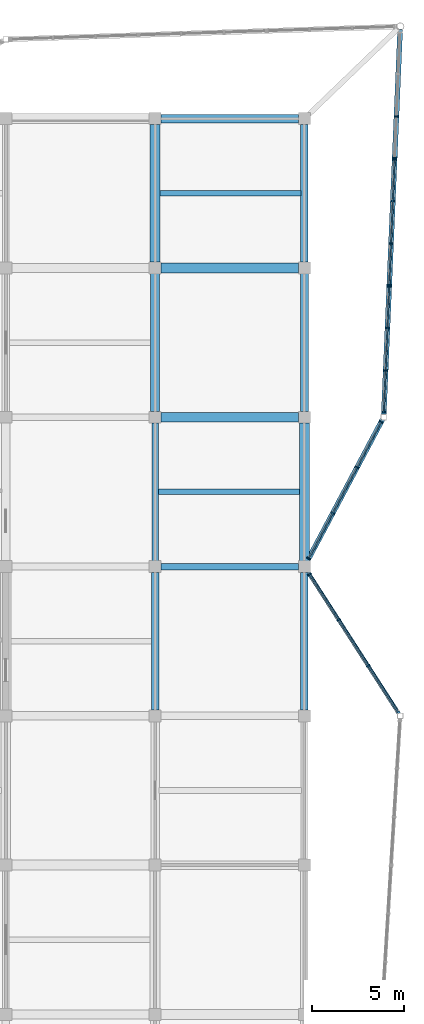
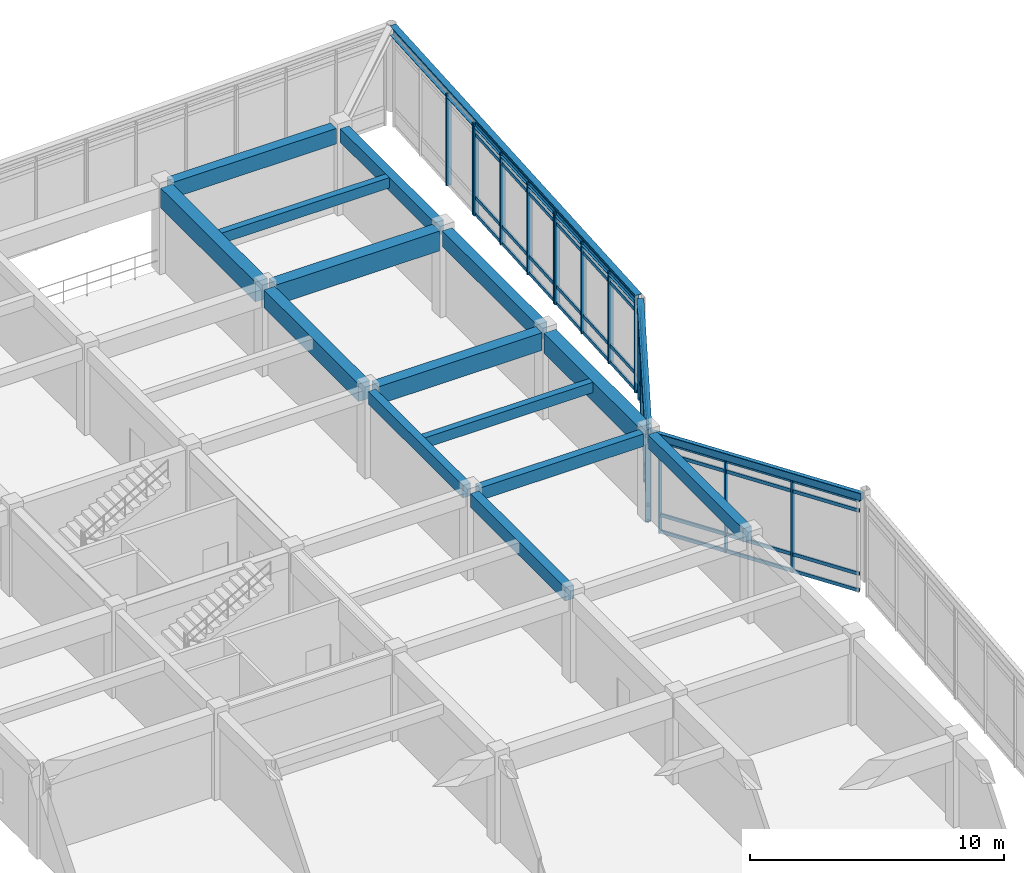
# One storey, part 20 of 42: 33 members, 17 beams, 5 elements without a shape of their own.
"""IFC4 building model written with IfcOpenShell, lengths in metres."""

import ifcopenshell
import ifcopenshell.guid

model = None  # the IFC model being written
_history = None  # IfcOwnerHistory: only IFC2X3 demands one
_inside = {}  # id of a spatial element -> (the spatial element, [elements in it])
_under = {}  # id of a project, library or spatial element -> (it, [spatial elements below it])
_declared = {}  # id of a project -> (the project, [libraries it declares])
_typed = {}  # id of a type object -> (the type object, [elements of that type])
_made_of = {}  # id of a material, layer set ... -> (it, [elements and type objects made of it])


def new_model(schema):
    """Start an empty IFC model of exactly this schema.

    Asked for "IFC4X3", IfcOpenShell would pick the latest addendum, in which some entities
    have other attributes; the version numbers below select the first issue.
    IFC2X3 requires an IfcOwnerHistory on every rooted entity: one is made here for all.
    """
    global model, _history
    if schema == "IFC4X3":
        model = ifcopenshell.file(schema_version=(4, 3, 0, 0))
    else:
        model = ifcopenshell.file(schema=schema)
    _inside.clear()
    _under.clear()
    _declared.clear()
    _typed.clear()
    _made_of.clear()
    _history = None
    if model.schema == "IFC2X3":
        org = make("IfcOrganization", Name="unknown")
        user = make(
            "IfcPersonAndOrganization",
            ThePerson=make("IfcPerson", FamilyName="unknown"),
            TheOrganization=org,
        )
        app = make(
            "IfcApplication",
            ApplicationDeveloper=org,
            Version="unknown",
            ApplicationFullName="unknown",
            ApplicationIdentifier="unknown",
        )
        _history = make(
            "IfcOwnerHistory",
            OwningUser=user,
            OwningApplication=app,
            ChangeAction="ADDED",
            CreationDate=0,
        )
    return model


def make(cls, **values):
    """One entity of the class cls with the attributes given. An attribute that is None is left unset."""
    return model.create_entity(
        cls, **{name: value for name, value in values.items() if value is not None}
    )


def rooted(cls, **values):
    """An entity with a GlobalId (a new one), such as an element, a storey or a relation."""
    return make(cls, GlobalId=ifcopenshell.guid.new(), OwnerHistory=_history, **values)


def si_unit(unit_type, name, prefix=None):
    """IfcSIUnit, for example si_unit("LENGTHUNIT", "METRE", prefix="MILLI")."""
    return make("IfcSIUnit", UnitType=unit_type, Prefix=prefix, Name=name)


def assignment(units):
    """IfcUnitAssignment: the units of a project."""
    return None if units is None else make("IfcUnitAssignment", Units=units)


def point(xyz):
    """IfcCartesianPoint."""
    return None if xyz is None else make("IfcCartesianPoint", Coordinates=xyz)


def direction(xyz):
    """IfcDirection."""
    return None if xyz is None else make("IfcDirection", DirectionRatios=xyz)


def frame(location, z_axis=None, x_axis=None):
    """IfcAxis2Placement3D, a coordinate frame: its origin and axes. An axis left out is left unset."""
    return make(
        "IfcAxis2Placement3D",
        Location=point(location),
        Axis=direction(z_axis),
        RefDirection=direction(x_axis),
    )


def frame_2d(location, x_axis=None):
    """IfcAxis2Placement2D, a coordinate frame in the plane: its origin and x axis."""
    return make(
        "IfcAxis2Placement2D", Location=point(location), RefDirection=direction(x_axis)
    )


def origin():
    """The frame at (0, 0, 0) with its axes left unset."""
    return frame((0.0, 0.0, 0.0))


def origin_2d():
    """The frame at (0, 0) in the plane with its x axis left unset."""
    return frame_2d((0.0, 0.0))


def place(relative_to, where):
    """IfcLocalPlacement: puts the frame where relative to a parent placement (None: the world)."""
    return make(
        "IfcLocalPlacement", PlacementRelTo=relative_to, RelativePlacement=where
    )


def context(
    kind, dimensions, precision=None, world=None, true_north=None, identifier=None
):
    """IfcGeometricRepresentationContext, for example the 3D "Model" context."""
    return make(
        "IfcGeometricRepresentationContext",
        ContextIdentifier=identifier,
        ContextType=kind,
        CoordinateSpaceDimension=dimensions,
        Precision=precision,
        WorldCoordinateSystem=world,
        TrueNorth=true_north,
    )


def subcontext(parent, identifier, kind, view, scale=None):
    """IfcGeometricRepresentationSubContext, for example "Body" below "Model"."""
    return make(
        "IfcGeometricRepresentationSubContext",
        ContextIdentifier=identifier,
        ContextType=kind,
        ParentContext=parent,
        TargetScale=scale,
        TargetView=view,
    )


def project(units=None, contexts=None):
    """IfcProject with its units and contexts."""
    return rooted(
        "IfcProject",
        Name="project",
        RepresentationContexts=contexts,
        UnitsInContext=assignment(units),
    )


def spatial(cls, under=None, at=None, **own):
    """A site, building, storey or space (cls), placed at a placement, below another one or the project."""
    s = rooted(cls, ObjectPlacement=at, **own)
    if under is not None:
        _under.setdefault(under.id(), (under, []))[1].append(s)
    return s


def profile(cls, at=None, kind="AREA", **sizes):
    """A parametric profile (cls). Its sizes go by their IFC names, for example OverallWidth=200.0."""
    return make(cls, ProfileType=kind, Position=at, **sizes)


def rectangle(**sizes):
    """IfcRectangleProfileDef."""
    return profile("IfcRectangleProfileDef", **sizes)


def hollow_rectangle(**sizes):
    """IfcRectangleHollowProfileDef."""
    return profile("IfcRectangleHollowProfileDef", **sizes)


def i_section(**sizes):
    """IfcIShapeProfileDef."""
    return profile("IfcIShapeProfileDef", **sizes)


def extrude(swept, where, along, depth):
    """IfcExtrudedAreaSolid: the profile swept, set in the frame where, extruded along a direction by depth."""
    return make(
        "IfcExtrudedAreaSolid",
        SweptArea=swept,
        Position=where,
        ExtrudedDirection=direction(along),
        Depth=depth,
    )


def shape(context_of_items, identifier, shape_type, items):
    """IfcShapeRepresentation: the items that make up one representation, for example the "Body"."""
    return make(
        "IfcShapeRepresentation",
        ContextOfItems=context_of_items,
        RepresentationIdentifier=identifier,
        RepresentationType=shape_type,
        Items=items,
    )


def material(Name=None, Category=None):
    """IfcMaterial."""
    return make("IfcMaterial", Name=Name, Category=Category)


def layer(
    of_material, thickness, ventilated=None, Name=None, Category=None, Priority=None
):
    """IfcMaterialLayer: one layer of a wall or slab, of a material (None: an air gap)."""
    return make(
        "IfcMaterialLayer",
        Material=of_material,
        LayerThickness=thickness,
        IsVentilated=ventilated,
        Name=Name,
        Category=Category,
        Priority=Priority,
    )


def layer_set(layers, Name=None):
    """IfcMaterialLayerSet."""
    return make("IfcMaterialLayerSet", MaterialLayers=layers, LayerSetName=Name)


def material_profile(
    of_material, cross_section, Name=None, Category=None, Priority=None
):
    """IfcMaterialProfile: a cross section and its material."""
    return make(
        "IfcMaterialProfile",
        Name=Name,
        Material=of_material,
        Profile=cross_section,
        Priority=Priority,
        Category=Category,
    )


def profile_set(profiles, Name=None, composite=None):
    """IfcMaterialProfileSet."""
    return make(
        "IfcMaterialProfileSet",
        Name=Name,
        MaterialProfiles=profiles,
        CompositeProfile=composite,
    )


def made_of(thing, what):
    """Note that an element or type object is made of a material, layer set ...; save() writes the relation."""
    if what is not None:
        _made_of.setdefault(what.id(), (what, []))[1].append(thing)
    return thing


def type_object(cls, material=None, **own):
    """A type object (cls), such as IfcWallType, which elements share."""
    return made_of(rooted(cls, **own), material)


def element(
    cls,
    number,
    at=None,
    inside=None,
    cuts=None,
    type_object=None,
    material=None,
    context=None,
    identifier="Body",
    shape_type=None,
    held_by="IfcProductDefinitionShape",
    body=None,
    shapes=None,
    **own,
):
    """One element of the class cls, such as IfcWall. Its Tag is "e" and its number.

    at: its placement. inside: the storey or other place that contains it. cuts: it is an
    opening in that element (IfcRelVoidsElement). A single representation is given by context,
    identifier, shape_type and body (its items); several are given by shapes. held_by: the class
    of the entity that holds the representations. save() writes the other relations.
    """
    e = rooted(cls, Tag="e%d" % number, ObjectPlacement=at, **own)
    if body is not None:
        shapes = [shape(context, identifier, shape_type, body)]
    if shapes is not None:
        e.Representation = make(held_by, Representations=shapes)
    if inside is not None:
        _inside.setdefault(inside.id(), (inside, []))[1].append(e)
    if cuts is not None:
        rooted(
            "IfcRelVoidsElement", RelatingBuildingElement=cuts, RelatedOpeningElement=e
        )
    if type_object is not None:
        _typed.setdefault(type_object.id(), (type_object, []))[1].append(e)
    return made_of(e, material)


def aggregate(whole, parts):
    """IfcRelAggregates: a whole, such as a stair, and the parts it consists of."""
    return rooted("IfcRelAggregates", RelatingObject=whole, RelatedObjects=parts)


def save(model, path):
    """Write the relations noted so far, then the file.

    IfcRelAggregates (storeys below a building ...), IfcRelContainedInSpatialStructure (elements
    in a storey), IfcRelDefinesByType, IfcRelAssociatesMaterial and IfcRelDeclares: one each for
    every whole, place, type object, material and project.
    """
    for whole, parts in _under.values():
        aggregate(whole, parts)
    for where, things in _inside.values():
        rooted(
            "IfcRelContainedInSpatialStructure",
            RelatedElements=things,
            RelatingStructure=where,
        )
    for kind, things in _typed.values():
        rooted("IfcRelDefinesByType", RelatedObjects=things, RelatingType=kind)
    for what, things in _made_of.values():
        rooted("IfcRelAssociatesMaterial", RelatedObjects=things, RelatingMaterial=what)
    for by, libraries in _declared.values():
        rooted("IfcRelDeclares", RelatingContext=by, RelatedDefinitions=libraries)
    model.write(path)


model = new_model("IFC4")

# Units and contexts
model_context = context("Model", 3, precision=1e-05, world=origin(), true_north=direction((0.0, 1.0)))
body_context = subcontext(model_context, "Body", "Model", "MODEL_VIEW")
ifc_project = project(units=[si_unit("LENGTHUNIT", "METRE"), si_unit("AREAUNIT", "SQUARE_METRE"), si_unit("VOLUMEUNIT", "CUBIC_METRE"), si_unit("PLANEANGLEUNIT", "RADIAN"), si_unit("MASSUNIT", "GRAM", prefix="KILO")], contexts=[model_context])

# Site, building, storey
site_placement = place(None, origin())
site = spatial("IfcSite", under=ifc_project, at=site_placement, CompositionType="ELEMENT")
building_placement = place(site_placement, origin())
building = spatial("IfcBuilding", under=site, at=building_placement, Name="Vaudrelin Polytechnic", CompositionType="ELEMENT")
storey_placement = place(building_placement, frame((0.0, 0.0, 18.530029296875)))
storey = spatial("IfcBuildingStorey", under=building, at=storey_placement, Name="L04", CompositionType="ELEMENT", Elevation=18.530029296875)

# Beams
ifc_material_1 = material(Name="Concrete 40 MPa", Category="concrete")
ifc_material_profile_1 = material_profile(ifc_material_1, rectangle(XDim=0.35009765625, YDim=0.60009765625, at=origin_2d()), Name="RC350x600")
ifc_profile_set_1 = profile_set([ifc_material_profile_1], Name="Concrete 40 MPa")
beam_type_1 = type_object("IfcBeamType", Name="BM-BM-RC3560", PredefinedType="BEAM", material=ifc_profile_set_1)
beam_1_placement = place(storey_placement, frame((162.0, 97.510009765625, 3.85986328125), z_axis=(0.0, 1.0, 0.0), x_axis=(-1.0, 0.0, 0.0)))
element("IfcBeam", 1, at=beam_1_placement, inside=storey, type_object=beam_type_1, Name="L04 Y-beam 21-13", PredefinedType="BEAM", context=body_context, shape_type="SweptSolid", body=[
    extrude(rectangle(XDim=0.35009765625, YDim=0.60009765625, at=origin_2d()), origin(), (0.0, 0.0, 1.0), 7.47998046875),
])
beam_2_placement = place(storey_placement, frame((162.321044921875, 97.199951171875, 3.85986328125), z_axis=(1.0, 0.0, 0.0), x_axis=(0.0, 1.0, 0.0)))
element("IfcBeam", 2, at=beam_2_placement, inside=storey, type_object=beam_type_1, Name="L04 X-beam 21-13", PredefinedType="BEAM", context=body_context, shape_type="SweptSolid", body=[
    extrude(rectangle(XDim=0.35009765625, YDim=0.60009765625, at=origin_2d()), origin(), (0.0, 0.0, 1.0), 7.4580078125),
])
ifc_material_profile_2 = material_profile(ifc_material_1, rectangle(XDim=0.39990234375, YDim=0.64990234375, at=origin_2d()), Name="RC400x650")
ifc_profile_set_2 = profile_set([ifc_material_profile_2], Name="Concrete 40 MPa")
beam_type_2 = type_object("IfcBeamType", Name="BM-BM-RC4065", PredefinedType="BEAM", material=ifc_profile_set_2)
for number, where, z_axis, x_axis, name in (
    (3, (162.0, 89.409912109375, 3.8349609375), (0.0, 1.0, 0.0), (-1.0, 0.0, 0.0), "L04 Y-beam 21-12"),
    (4, (170.10009765625, 113.7099609375, 3.8349609375), (0.0, 1.0, 0.0), (-1.0, 0.0, 0.0), "L04 Y-beam 22-15"),
):
    element("IfcBeam", number, at=place(storey_placement, frame(where, z_axis=z_axis, x_axis=x_axis)), inside=storey, type_object=beam_type_2, Name=name, PredefinedType="BEAM", context=body_context, shape_type="SweptSolid", body=[
        extrude(rectangle(XDim=0.39990234375, YDim=0.64990234375, at=origin_2d()), origin(), (0.0, 0.0, 1.0), 7.47998046875),
    ])
ifc_material_profile_3 = material_profile(ifc_material_1, rectangle(XDim=0.449951171875, YDim=0.75, at=origin_2d()), Name="RC450x750")
ifc_profile_set_3 = profile_set([ifc_material_profile_3], Name="Concrete 40 MPa")
beam_type_3 = type_object("IfcBeamType", Name="BM-BM-RC4575", PredefinedType="BEAM", material=ifc_profile_set_3)
beam_3_placement = place(storey_placement, frame((170.10009765625, 105.610107421875, 3.784912109375), z_axis=(0.0, 1.0, 0.0), x_axis=(-1.0, 0.0, 0.0)))
element("IfcBeam", 5, at=beam_3_placement, inside=storey, type_object=beam_type_3, Name="L04 Y-beam 22-14", PredefinedType="BEAM", context=body_context, shape_type="SweptSolid", body=[
    extrude(rectangle(XDim=0.449951171875, YDim=0.75, at=origin_2d()), origin(), (0.0, 0.0, 1.0), 7.47998046875),
])
beam_4_placement = place(storey_placement, frame((162.321044921875, 121.5, 3.784912109375), z_axis=(1.0, 0.0, 0.0), x_axis=(0.0, 1.0, 0.0)))
element("IfcBeam", 6, at=beam_4_placement, inside=storey, type_object=beam_type_3, Name="L04 X-beam 21-16", PredefinedType="BEAM", context=body_context, shape_type="SweptSolid", body=[
    extrude(rectangle(XDim=0.449951171875, YDim=0.75, at=origin_2d()), origin(), (0.0, 0.0, 1.0), 7.4580078125),
])
ifc_material_profile_4 = material_profile(ifc_material_1, rectangle(XDim=0.5, YDim=0.85009765625, at=origin_2d()), Name="RC500x850")
ifc_profile_set_4 = profile_set([ifc_material_profile_4], Name="Concrete 40 MPa")
beam_type_4 = type_object("IfcBeamType", Name="BM-BM-RC5085", PredefinedType="BEAM", material=ifc_profile_set_4)
beam_5_placement = place(storey_placement, frame((162.0, 105.610107421875, 3.73486328125), z_axis=(0.0, 1.0, 0.0), x_axis=(-1.0, 0.0, 0.0)))
element("IfcBeam", 7, at=beam_5_placement, inside=storey, type_object=beam_type_4, Name="L04 Y-beam 21-14", PredefinedType="BEAM", context=body_context, shape_type="SweptSolid", body=[
    extrude(rectangle(XDim=0.5, YDim=0.85009765625, at=origin_2d()), origin(), (0.0, 0.0, 1.0), 7.47998046875),
])
beam_6_placement = place(storey_placement, frame((162.321044921875, 105.300048828125, 3.73486328125), z_axis=(1.0, 0.0, 0.0), x_axis=(0.0, 1.0, 0.0)))
element("IfcBeam", 8, at=beam_6_placement, inside=storey, type_object=beam_type_4, Name="L04 X-beam 21-14", PredefinedType="BEAM", context=body_context, shape_type="SweptSolid", body=[
    extrude(rectangle(XDim=0.5, YDim=0.85009765625, at=origin_2d()), origin(), (0.0, 0.0, 1.0), 7.4580078125),
])
ifc_material_2 = material(Name="Concrete 50 MPa", Category="concrete")
ifc_material_profile_5 = material_profile(ifc_material_2, rectangle(XDim=0.550048828125, YDim=0.949951171875, at=origin_2d()), Name="RC550x950")
ifc_profile_set_5 = profile_set([ifc_material_profile_5], Name="Concrete 50 MPa")
beam_type_5 = type_object("IfcBeamType", Name="BM-BM-RC5595", PredefinedType="BEAM", material=ifc_profile_set_5)
for number, where, z_axis, x_axis, name in (
    (9, (162.0, 113.7099609375, 3.68505859375), (0.0, 1.0, 0.0), (-1.0, 0.0, 0.0), "L04 Y-beam 21-15"),
    (10, (170.10009765625, 97.510009765625, 3.68505859375), (0.0, 1.0, 0.0), (-1.0, 0.0, 0.0), "L04 Y-beam 22-13"),
):
    element("IfcBeam", number, at=place(storey_placement, frame(where, z_axis=z_axis, x_axis=x_axis)), inside=storey, type_object=beam_type_5, Name=name, PredefinedType="BEAM", context=body_context, shape_type="SweptSolid", body=[
        extrude(rectangle(XDim=0.550048828125, YDim=0.949951171875, at=origin_2d()), origin(), (0.0, 0.0, 1.0), 7.47998046875),
    ])
beam_7_placement = place(storey_placement, frame((162.321044921875, 113.39990234375, 3.68505859375), z_axis=(1.0, 0.0, 0.0), x_axis=(0.0, 1.0, 0.0)))
element("IfcBeam", 11, at=beam_7_placement, inside=storey, type_object=beam_type_5, Name="L04 X-beam 21-15", PredefinedType="BEAM", context=body_context, shape_type="SweptSolid", body=[
    extrude(rectangle(XDim=0.550048828125, YDim=0.949951171875, at=origin_2d()), origin(), (0.0, 0.0, 1.0), 7.4580078125),
])
ifc_material_3 = material(Name="Steel CSA G40.21 350W", Category="steel")
ifc_material_profile_6 = material_profile(ifc_material_3, i_section(OverallWidth=0.280029296875, OverallDepth=0.462890625, WebThickness=0.0107421875, FlangeThickness=0.017333984375, FilletRadius=0.01806640625, at=origin_2d()), Name="W460x113")
ifc_profile_set_6 = profile_set([ifc_material_profile_6], Name="Steel CSA G40.21 350W")
beam_type_6 = type_object("IfcBeamType", Name="BM-BM-W460H", PredefinedType="BEAM", material=ifc_profile_set_6)
beam_8_placement = place(storey_placement, frame((175.294189453125, 126.360107421875, 3.908447265625), z_axis=(-0.042417646122, -0.999099966619, 0.0), x_axis=(0.999099966619, -0.042417646122, 0.0)))
element("IfcBeam", 12, at=beam_8_placement, inside=storey, type_object=beam_type_6, Name="Sculptural edge beam L04 NE_BM_3", PredefinedType="BEAM", context=body_context, shape_type="SweptSolid", body=[
    extrude(i_section(OverallWidth=0.280029296875, OverallDepth=0.462890625, WebThickness=0.0107421875, FlangeThickness=0.017333984375, FilletRadius=0.01806640625, at=origin_2d()), origin(), (0.0, 0.0, 1.0), 20.93896484375),
])
beam_9_placement = place(storey_placement, frame((174.33447265625, 105.17626953125, 3.908447265625), z_axis=(-0.468916952234, -0.883242261165, 0.0), x_axis=(0.883242261165, -0.468916952234, 0.0)))
element("IfcBeam", 13, at=beam_9_placement, inside=storey, type_object=beam_type_6, Name="Sculptural edge beam L04 NE_BM_4", PredefinedType="BEAM", context=body_context, shape_type="SweptSolid", body=[
    extrude(i_section(OverallWidth=0.280029296875, OverallDepth=0.462890625, WebThickness=0.0107421875, FlangeThickness=0.017333984375, FilletRadius=0.01806640625, at=origin_2d()), origin(), (0.0, 0.0, 1.0), 8.890625),
])
ifc_material_profile_7 = material_profile(ifc_material_1, rectangle(XDim=0.300048828125, YDim=0.5, at=origin_2d()), Name="RC300x500")
ifc_profile_set_7 = profile_set([ifc_material_profile_7], Name="Concrete 40 MPa")
beam_type_7 = type_object("IfcBeamType", Name="BM-JS-RC3050", PredefinedType="JOIST", material=ifc_profile_set_7)
beam_10_placement = place(storey_placement, frame((162.1708984375, 101.25, 3.909912109375), z_axis=(1.0, 0.0, 0.0), x_axis=(0.0, 1.0, 0.0)))
element("IfcBeam", 14, at=beam_10_placement, inside=storey, type_object=beam_type_7, Name="L04 floor joist 21-13", PredefinedType="JOIST", context=body_context, shape_type="SweptSolid", body=[
    extrude(rectangle(XDim=0.300048828125, YDim=0.5, at=origin_2d()), origin(), (0.0, 0.0, 1.0), 7.658203125),
])
beam_11_placement = place(storey_placement, frame((162.27099609375, 117.449951171875, 3.909912109375), z_axis=(1.0, 0.0, 0.0), x_axis=(0.0, 1.0, 0.0)))
element("IfcBeam", 15, at=beam_11_placement, inside=storey, type_object=beam_type_7, Name="L04 floor joist 21-15", PredefinedType="JOIST", context=body_context, shape_type="SweptSolid", body=[
    extrude(rectangle(XDim=0.300048828125, YDim=0.5, at=origin_2d()), origin(), (0.0, 0.0, 1.0), 7.633056640625),
])
ifc_material_4 = material(Name="Steel CSA G40.21 350WT", Category="steel")
ifc_material_profile_8 = material_profile(ifc_material_4, hollow_rectangle(XDim=0.202880859375, YDim=0.35595703125, WallThickness=0.0126953125, InnerFilletRadius=0.0126953125, OuterFilletRadius=0.025390625, at=origin_2d()), Name="HSS356x203x12.7")
ifc_profile_set_8 = profile_set([ifc_material_profile_8], Name="Steel CSA G40.21 350WT")
beam_type_8 = type_object("IfcBeamType", Name="BM-SP-HSS35", PredefinedType="SPANDREL", material=ifc_profile_set_8)
beam_12_placement = place(storey_placement, frame((175.224365234375, 89.2177734375, 3.98193359375), z_axis=(-0.540233319411, 0.841515276509, 0.0), x_axis=(-0.841515276509, -0.540233319411, 0.0)))
element("IfcBeam", 16, at=beam_12_placement, inside=storey, type_object=beam_type_8, Name="Sculptural edge beam L04 E_OR2_B3", PredefinedType="SPANDREL", context=body_context, shape_type="SweptSolid", body=[
    extrude(hollow_rectangle(XDim=0.202880859375, YDim=0.35595703125, WallThickness=0.0126953125, InnerFilletRadius=0.0126953125, OuterFilletRadius=0.025390625, at=origin_2d()), origin(), (0.0, 0.0, 1.0), 9.345703125),
])
ifc_material_profile_9 = material_profile(ifc_material_1, rectangle(XDim=0.39990234375, YDim=0.64990234375, at=origin_2d()), Name="RC400x650")
ifc_profile_set_9 = profile_set([ifc_material_profile_9], Name="Concrete 40 MPa")
beam_type_9 = type_object("IfcBeamType", Name="BM-SP-RC4065", PredefinedType="SPANDREL", material=ifc_profile_set_9)
beam_13_placement = place(storey_placement, frame((170.10009765625, 89.409912109375, 3.8349609375), z_axis=(0.0, 1.0, 0.0), x_axis=(-1.0, 0.0, 0.0)))
element("IfcBeam", 17, at=beam_13_placement, inside=storey, type_object=beam_type_9, Name="L04 Y-beam 22-12", PredefinedType="SPANDREL", context=body_context, shape_type="SweptSolid", body=[
    extrude(rectangle(XDim=0.39990234375, YDim=0.64990234375, at=origin_2d()), origin(), (0.0, 0.0, 1.0), 7.47998046875),
])

# Curtain wall, members
ifc_material_5 = material(Name="Thermally broken anodised aluminium AA 6063-T6 and low-e triple glazing", Category="aluminium")
ifc_layer = layer(ifc_material_5, 0.199951171875)
ifc_layer_set = layer_set([ifc_layer], Name="Thermally broken anodised aluminium AA 6063-T6 and low-e triple glazing")
curtain_wall_type = type_object("IfcCurtainWallType", Name="CW-CW-LAB", PredefinedType="USERDEFINED", material=ifc_layer_set)
curtain_wall_1_placement = place(storey_placement, origin())
curtain_wall_1 = element("IfcCurtainWall", 18, at=curtain_wall_1_placement, inside=storey, type_object=curtain_wall_type, Name="Curtain wall L04 NEP_3_0", ObjectType="CURTAIN WALL", PredefinedType="USERDEFINED")
ifc_material_6 = material(Name="Anodised aluminium AA 6063-T6", Category="aluminium")
ifc_material_profile_10 = material_profile(ifc_material_6, rectangle(XDim=0.074951171875, YDim=0.219970703125, at=origin_2d()), Name="CWM-75x220")
ifc_profile_set_10 = profile_set([ifc_material_profile_10], Name="Anodised aluminium AA 6063-T6")
member_type_1 = type_object("IfcMemberType", Name="MEM-CWM-220", PredefinedType="MULLION", material=ifc_profile_set_10)
member_1_placement = place(storey_placement, frame((175.0927734375, 121.61767578125, -0.630126953125), z_axis=(0.0, 0.0, 1.0), x_axis=(-0.042419882824, -0.999099871655, 0.0)))
member_1 = element("IfcMember", 19, at=member_1_placement, type_object=member_type_1, Name="NEP_3_0 mullion 3", PredefinedType="MULLION", context=body_context, shape_type="SweptSolid", body=[
    extrude(rectangle(XDim=0.074951171875, YDim=0.219970703125, at=origin_2d()), origin(), (0.0, 0.0, 1.0), 4.440185546875),
])
member_2_placement = place(storey_placement, frame((174.996826171875, 119.3603515625, -0.630126953125), z_axis=(0.0, 0.0, 1.0), x_axis=(-0.042419882824, -0.999099871655, 0.0)))
member_2 = element("IfcMember", 20, at=member_2_placement, type_object=member_type_1, Name="NEP_3_0 mullion 4", PredefinedType="MULLION", context=body_context, shape_type="SweptSolid", body=[
    extrude(rectangle(XDim=0.074951171875, YDim=0.219970703125, at=origin_2d()), origin(), (0.0, 0.0, 1.0), 4.440185546875),
])
aggregate(curtain_wall_1, [member_1, member_2])

curtain_wall_2_placement = place(storey_placement, origin())
curtain_wall_2 = element("IfcCurtainWall", 21, at=curtain_wall_2_placement, inside=storey, type_object=curtain_wall_type, Name="Curtain wall L04 NEP_3_1", ObjectType="CURTAIN WALL", PredefinedType="USERDEFINED")
member_3_placement = place(storey_placement, frame((174.993408203125, 119.280517578125, -0.630126953125), z_axis=(0.0, 0.0, 1.0), x_axis=(-0.042405411318, -0.999100485983, 0.0)))
member_3 = element("IfcMember", 22, at=member_3_placement, type_object=member_type_1, Name="NEP_3_1 mullion 1", PredefinedType="MULLION", context=body_context, shape_type="SweptSolid", body=[
    extrude(rectangle(XDim=0.074951171875, YDim=0.219970703125, at=origin_2d()), origin(), (0.0, 0.0, 1.0), 4.440185546875),
])
member_4_placement = place(storey_placement, frame((174.897705078125, 117.023193359375, -0.630126953125), z_axis=(0.0, 0.0, 1.0), x_axis=(-0.042405411318, -0.999100485983, 0.0)))
member_4 = element("IfcMember", 23, at=member_4_placement, type_object=member_type_1, Name="NEP_3_1 mullion 2", PredefinedType="MULLION", context=body_context, shape_type="SweptSolid", body=[
    extrude(rectangle(XDim=0.074951171875, YDim=0.219970703125, at=origin_2d()), origin(), (0.0, 0.0, 1.0), 4.440185546875),
])
member_5_placement = place(storey_placement, frame((174.80029296875, 114.72607421875, -0.630126953125), z_axis=(0.0, 0.0, 1.0), x_axis=(-0.042405411318, -0.999100485983, 0.0)))
member_5 = element("IfcMember", 24, at=member_5_placement, type_object=member_type_1, Name="NEP_3_1 mullion 3", PredefinedType="MULLION", context=body_context, shape_type="SweptSolid", body=[
    extrude(rectangle(XDim=0.074951171875, YDim=0.219970703125, at=origin_2d()), origin(), (0.0, 0.0, 1.0), 4.440185546875),
])
member_6_placement = place(storey_placement, frame((174.704345703125, 112.468994140625, -0.630126953125), z_axis=(0.0, 0.0, 1.0), x_axis=(-0.042405411318, -0.999100485983, 0.0)))
member_6 = element("IfcMember", 25, at=member_6_placement, type_object=member_type_1, Name="NEP_3_1 mullion 4", PredefinedType="MULLION", context=body_context, shape_type="SweptSolid", body=[
    extrude(rectangle(XDim=0.074951171875, YDim=0.219970703125, at=origin_2d()), origin(), (0.0, 0.0, 1.0), 4.440185546875),
])

curtain_wall_3_placement = place(storey_placement, origin())
curtain_wall_3 = element("IfcCurtainWall", 26, at=curtain_wall_3_placement, inside=storey, type_object=curtain_wall_type, Name="Curtain wall L04 NEP_3_2", ObjectType="CURTAIN WALL", PredefinedType="USERDEFINED")
member_7_placement = place(storey_placement, frame((174.700927734375, 112.388916015625, -0.630126953125), z_axis=(0.0, 0.0, 1.0), x_axis=(-0.042419882824, -0.999099871655, 0.0)))
member_7 = element("IfcMember", 27, at=member_7_placement, type_object=member_type_1, Name="NEP_3_2 mullion 1", PredefinedType="MULLION", context=body_context, shape_type="SweptSolid", body=[
    extrude(rectangle(XDim=0.074951171875, YDim=0.219970703125, at=origin_2d()), origin(), (0.0, 0.0, 1.0), 4.440185546875),
])
member_8_placement = place(storey_placement, frame((174.605224609375, 110.131591796875, -0.630126953125), z_axis=(0.0, 0.0, 1.0), x_axis=(-0.042419882824, -0.999099871655, 0.0)))
member_8 = element("IfcMember", 28, at=member_8_placement, type_object=member_type_1, Name="NEP_3_2 mullion 2", PredefinedType="MULLION", context=body_context, shape_type="SweptSolid", body=[
    extrude(rectangle(XDim=0.074951171875, YDim=0.219970703125, at=origin_2d()), origin(), (0.0, 0.0, 1.0), 4.440185546875),
])
member_9_placement = place(storey_placement, frame((174.507568359375, 107.834716796875, -0.630126953125), z_axis=(0.0, 0.0, 1.0), x_axis=(-0.042419882824, -0.999099871655, 0.0)))
member_9 = element("IfcMember", 29, at=member_9_placement, type_object=member_type_1, Name="NEP_3_2 mullion 3", PredefinedType="MULLION", context=body_context, shape_type="SweptSolid", body=[
    extrude(rectangle(XDim=0.074951171875, YDim=0.219970703125, at=origin_2d()), origin(), (0.0, 0.0, 1.0), 4.440185546875),
])
member_10_placement = place(storey_placement, frame((174.411865234375, 105.577392578125, -0.630126953125), z_axis=(0.0, 0.0, 1.0), x_axis=(-0.042419882824, -0.999099871655, 0.0)))
member_10 = element("IfcMember", 30, at=member_10_placement, type_object=member_type_1, Name="NEP_3_2 mullion 4", PredefinedType="MULLION", context=body_context, shape_type="SweptSolid", body=[
    extrude(rectangle(XDim=0.074951171875, YDim=0.219970703125, at=origin_2d()), origin(), (0.0, 0.0, 1.0), 4.440185546875),
])

curtain_wall_4_placement = place(storey_placement, origin())
curtain_wall_4 = element("IfcCurtainWall", 31, at=curtain_wall_4_placement, inside=storey, type_object=curtain_wall_type, Name="Curtain wall L04 NEP_4_0", ObjectType="CURTAIN WALL", PredefinedType="USERDEFINED")
member_11_placement = place(storey_placement, frame((174.260498046875, 105.037109375, -0.630126953125), z_axis=(0.0, 0.0, 1.0), x_axis=(-0.468891609246, -0.883255715395, 0.0)))
member_11 = element("IfcMember", 32, at=member_11_placement, type_object=member_type_1, Name="NEP_4_0 mullion 1", PredefinedType="MULLION", context=body_context, shape_type="SweptSolid", body=[
    extrude(rectangle(XDim=0.074951171875, YDim=0.219970703125, at=origin_2d()), origin(), (0.0, 0.0, 1.0), 4.440185546875),
])
member_12_placement = place(storey_placement, frame((172.956787109375, 102.58154296875, -0.630126953125), z_axis=(0.0, 0.0, 1.0), x_axis=(-0.468891609246, -0.883255715395, 0.0)))
member_12 = element("IfcMember", 33, at=member_12_placement, type_object=member_type_1, Name="NEP_4_0 mullion 2", PredefinedType="MULLION", context=body_context, shape_type="SweptSolid", body=[
    extrude(rectangle(XDim=0.074951171875, YDim=0.219970703125, at=origin_2d()), origin(), (0.0, 0.0, 1.0), 4.440185546875),
])
member_13_placement = place(storey_placement, frame((171.634765625, 100.0908203125, -0.630126953125), z_axis=(0.0, 0.0, 1.0), x_axis=(-0.468891609246, -0.883255715395, 0.0)))
member_13 = element("IfcMember", 34, at=member_13_placement, type_object=member_type_1, Name="NEP_4_0 mullion 3", PredefinedType="MULLION", context=body_context, shape_type="SweptSolid", body=[
    extrude(rectangle(XDim=0.074951171875, YDim=0.219970703125, at=origin_2d()), origin(), (0.0, 0.0, 1.0), 4.440185546875),
])
member_14_placement = place(storey_placement, frame((170.331298828125, 97.635498046875, -0.630126953125), z_axis=(0.0, 0.0, 1.0), x_axis=(-0.468891609246, -0.883255715395, 0.0)))
member_14 = element("IfcMember", 35, at=member_14_placement, type_object=member_type_1, Name="NEP_4_0 mullion 4", PredefinedType="MULLION", context=body_context, shape_type="SweptSolid", body=[
    extrude(rectangle(XDim=0.074951171875, YDim=0.219970703125, at=origin_2d()), origin(), (0.0, 0.0, 1.0), 4.440185546875),
])

curtain_wall_5_placement = place(storey_placement, origin())
curtain_wall_5 = element("IfcCurtainWall", 36, at=curtain_wall_5_placement, inside=storey, type_object=curtain_wall_type, Name="Curtain wall L04 E_OR2_3_0", ObjectType="CURTAIN WALL", PredefinedType="USERDEFINED")
member_15_placement = place(storey_placement, frame((173.5556640625, 91.817138671875, -0.630126953125), z_axis=(0.0, 0.0, 1.0), x_axis=(-0.540228077901, 0.841518641414, 0.0)))
member_15 = element("IfcMember", 37, at=member_15_placement, type_object=member_type_1, Name="E_OR2_3_0 mullion 2", PredefinedType="MULLION", context=body_context, shape_type="SweptSolid", body=[
    extrude(rectangle(XDim=0.074951171875, YDim=0.219970703125, at=origin_2d()), origin(), (0.0, 0.0, 1.0), 4.440185546875),
])
member_16_placement = place(storey_placement, frame((171.955078125, 94.310302734375, -0.630126953125), z_axis=(0.0, 0.0, 1.0), x_axis=(-0.540228077901, 0.841518641414, 0.0)))
member_16 = element("IfcMember", 38, at=member_16_placement, type_object=member_type_1, Name="E_OR2_3_0 mullion 3", PredefinedType="MULLION", context=body_context, shape_type="SweptSolid", body=[
    extrude(rectangle(XDim=0.074951171875, YDim=0.219970703125, at=origin_2d()), origin(), (0.0, 0.0, 1.0), 4.440185546875),
])
member_17_placement = place(storey_placement, frame((170.376220703125, 96.769775390625, -0.630126953125), z_axis=(0.0, 0.0, 1.0), x_axis=(-0.540228077901, 0.841518641414, 0.0)))
member_17 = element("IfcMember", 39, at=member_17_placement, type_object=member_type_1, Name="E_OR2_3_0 mullion 4", PredefinedType="MULLION", context=body_context, shape_type="SweptSolid", body=[
    extrude(rectangle(XDim=0.074951171875, YDim=0.219970703125, at=origin_2d()), origin(), (0.0, 0.0, 1.0), 4.440185546875),
])

# Member
ifc_material_profile_11 = material_profile(ifc_material_6, rectangle(XDim=0.074951171875, YDim=0.1650390625, at=origin_2d()), Name="CWT-75x165")
ifc_profile_set_11 = profile_set([ifc_material_profile_11], Name="Anodised aluminium AA 6063-T6")
member_type_2 = type_object("IfcMemberType", Name="MEM-CWT-165", PredefinedType="USERDEFINED", material=ifc_profile_set_11)
member_18_placement = place(storey_placement, frame((174.9951171875, 119.3203125, -0.580078125), z_axis=(-0.042403460566, -0.999100568778, 0.0), x_axis=(0.999100568778, -0.042403460566, 0.0)))
member_18 = element("IfcMember", 40, at=member_18_placement, type_object=member_type_2, Name="NEP_3_1 transom 1", ObjectType="TRANSOM", PredefinedType="USERDEFINED", context=body_context, shape_type="SweptSolid", body=[
    extrude(rectangle(XDim=0.074951171875, YDim=0.1650390625, at=origin_2d()), origin(), (0.0, 0.0, 1.0), 6.8974609375),
])

member_19_placement = place(storey_placement, frame((174.9951171875, 119.3203125, 0.219970703125), z_axis=(-0.042403460566, -0.999100568778, 0.0), x_axis=(0.999100568778, -0.042403460566, 0.0)))
member_19 = element("IfcMember", 41, at=member_19_placement, type_object=member_type_2, Name="NEP_3_1 transom 2", ObjectType="TRANSOM", PredefinedType="USERDEFINED", context=body_context, shape_type="SweptSolid", body=[
    extrude(rectangle(XDim=0.074951171875, YDim=0.1650390625, at=origin_2d()), origin(), (0.0, 0.0, 1.0), 6.8974609375),
])

member_20_placement = place(storey_placement, frame((174.9951171875, 119.3203125, 3.260009765625), z_axis=(-0.042403460566, -0.999100568778, 0.0), x_axis=(0.999100568778, -0.042403460566, 0.0)))
member_20 = element("IfcMember", 42, at=member_20_placement, type_object=member_type_2, Name="NEP_3_1 transom 3", ObjectType="TRANSOM", PredefinedType="USERDEFINED", context=body_context, shape_type="SweptSolid", body=[
    extrude(rectangle(XDim=0.074951171875, YDim=0.1650390625, at=origin_2d()), origin(), (0.0, 0.0, 1.0), 6.8974609375),
])

member_21_placement = place(storey_placement, frame((174.9951171875, 119.3203125, 3.760009765625), z_axis=(-0.042403460566, -0.999100568778, 0.0), x_axis=(0.999100568778, -0.042403460566, 0.0)))
member_21 = element("IfcMember", 43, at=member_21_placement, type_object=member_type_2, Name="NEP_3_1 transom 4", ObjectType="TRANSOM", PredefinedType="USERDEFINED", context=body_context, shape_type="SweptSolid", body=[
    extrude(rectangle(XDim=0.074951171875, YDim=0.1650390625, at=origin_2d()), origin(), (0.0, 0.0, 1.0), 6.8974609375),
])

aggregate(curtain_wall_2, [member_3, member_4, member_5, member_6, member_18, member_19, member_20, member_21])

member_22_placement = place(storey_placement, frame((174.70263671875, 112.428955078125, -0.580078125), z_axis=(-0.04240196109, -0.999100632417, 0.0), x_axis=(0.999100632417, -0.04240196109, 0.0)))
member_22 = element("IfcMember", 44, at=member_22_placement, type_object=member_type_2, Name="NEP_3_2 transom 1", ObjectType="TRANSOM", PredefinedType="USERDEFINED", context=body_context, shape_type="SweptSolid", body=[
    extrude(rectangle(XDim=0.074951171875, YDim=0.1650390625, at=origin_2d()), origin(), (0.0, 0.0, 1.0), 6.897705078125),
])

member_23_placement = place(storey_placement, frame((174.70263671875, 112.428955078125, 0.219970703125), z_axis=(-0.04240196109, -0.999100632417, 0.0), x_axis=(0.999100632417, -0.04240196109, 0.0)))
member_23 = element("IfcMember", 45, at=member_23_placement, type_object=member_type_2, Name="NEP_3_2 transom 2", ObjectType="TRANSOM", PredefinedType="USERDEFINED", context=body_context, shape_type="SweptSolid", body=[
    extrude(rectangle(XDim=0.074951171875, YDim=0.1650390625, at=origin_2d()), origin(), (0.0, 0.0, 1.0), 6.897705078125),
])

member_24_placement = place(storey_placement, frame((174.70263671875, 112.428955078125, 3.260009765625), z_axis=(-0.04240196109, -0.999100632417, 0.0), x_axis=(0.999100632417, -0.04240196109, 0.0)))
member_24 = element("IfcMember", 46, at=member_24_placement, type_object=member_type_2, Name="NEP_3_2 transom 3", ObjectType="TRANSOM", PredefinedType="USERDEFINED", context=body_context, shape_type="SweptSolid", body=[
    extrude(rectangle(XDim=0.074951171875, YDim=0.1650390625, at=origin_2d()), origin(), (0.0, 0.0, 1.0), 6.897705078125),
])

member_25_placement = place(storey_placement, frame((174.70263671875, 112.428955078125, 3.760009765625), z_axis=(-0.04240196109, -0.999100632417, 0.0), x_axis=(0.999100632417, -0.04240196109, 0.0)))
member_25 = element("IfcMember", 47, at=member_25_placement, type_object=member_type_2, Name="NEP_3_2 transom 4", ObjectType="TRANSOM", PredefinedType="USERDEFINED", context=body_context, shape_type="SweptSolid", body=[
    extrude(rectangle(XDim=0.074951171875, YDim=0.1650390625, at=origin_2d()), origin(), (0.0, 0.0, 1.0), 6.897705078125),
])

aggregate(curtain_wall_3, [member_7, member_8, member_9, member_10, member_22, member_23, member_24, member_25])

member_26_placement = place(storey_placement, frame((174.279296875, 105.072509765625, -0.580078125), z_axis=(-0.468885832896, -0.883258781847, 0.0), x_axis=(0.883258781847, -0.468885832896, 0.0)))
member_26 = element("IfcMember", 48, at=member_26_placement, type_object=member_type_2, Name="NEP_4_0 transom 1", ObjectType="TRANSOM", PredefinedType="USERDEFINED", context=body_context, shape_type="SweptSolid", body=[
    extrude(rectangle(XDim=0.074951171875, YDim=0.1650390625, at=origin_2d()), origin(), (0.0, 0.0, 1.0), 8.4599609375),
])

member_27_placement = place(storey_placement, frame((174.279296875, 105.072509765625, 0.219970703125), z_axis=(-0.468885832896, -0.883258781847, 0.0), x_axis=(0.883258781847, -0.468885832896, 0.0)))
member_27 = element("IfcMember", 49, at=member_27_placement, type_object=member_type_2, Name="NEP_4_0 transom 2", ObjectType="TRANSOM", PredefinedType="USERDEFINED", context=body_context, shape_type="SweptSolid", body=[
    extrude(rectangle(XDim=0.074951171875, YDim=0.1650390625, at=origin_2d()), origin(), (0.0, 0.0, 1.0), 8.4599609375),
])

member_28_placement = place(storey_placement, frame((174.279296875, 105.072509765625, 3.260009765625), z_axis=(-0.468885832896, -0.883258781847, 0.0), x_axis=(0.883258781847, -0.468885832896, 0.0)))
member_28 = element("IfcMember", 50, at=member_28_placement, type_object=member_type_2, Name="NEP_4_0 transom 3", ObjectType="TRANSOM", PredefinedType="USERDEFINED", context=body_context, shape_type="SweptSolid", body=[
    extrude(rectangle(XDim=0.074951171875, YDim=0.1650390625, at=origin_2d()), origin(), (0.0, 0.0, 1.0), 8.4599609375),
])

member_29_placement = place(storey_placement, frame((174.279296875, 105.072509765625, 3.760009765625), z_axis=(-0.468885832896, -0.883258781847, 0.0), x_axis=(0.883258781847, -0.468885832896, 0.0)))
member_29 = element("IfcMember", 51, at=member_29_placement, type_object=member_type_2, Name="NEP_4_0 transom 4", ObjectType="TRANSOM", PredefinedType="USERDEFINED", context=body_context, shape_type="SweptSolid", body=[
    extrude(rectangle(XDim=0.074951171875, YDim=0.1650390625, at=origin_2d()), origin(), (0.0, 0.0, 1.0), 8.4599609375),
])

aggregate(curtain_wall_4, [member_11, member_12, member_13, member_14, member_26, member_27, member_28, member_29])

member_30_placement = place(storey_placement, frame((175.15625, 89.323974609375, -0.580078125), z_axis=(-0.540241050926, 0.841510313005, 0.0), x_axis=(-0.841510313005, -0.540241050926, 0.0)))
member_30 = element("IfcMember", 52, at=member_30_placement, type_object=member_type_2, Name="E_OR2_3_0 transom 1", ObjectType="TRANSOM", PredefinedType="USERDEFINED", context=body_context, shape_type="SweptSolid", body=[
    extrude(rectangle(XDim=0.074951171875, YDim=0.1650390625, at=origin_2d()), origin(), (0.0, 0.0, 1.0), 8.88818359375),
])

member_31_placement = place(storey_placement, frame((175.15625, 89.323974609375, 0.219970703125), z_axis=(-0.540241050926, 0.841510313005, 0.0), x_axis=(-0.841510313005, -0.540241050926, 0.0)))
member_31 = element("IfcMember", 53, at=member_31_placement, type_object=member_type_2, Name="E_OR2_3_0 transom 2", ObjectType="TRANSOM", PredefinedType="USERDEFINED", context=body_context, shape_type="SweptSolid", body=[
    extrude(rectangle(XDim=0.074951171875, YDim=0.1650390625, at=origin_2d()), origin(), (0.0, 0.0, 1.0), 8.88818359375),
])

member_32_placement = place(storey_placement, frame((175.15625, 89.323974609375, 3.260009765625), z_axis=(-0.540241050926, 0.841510313005, 0.0), x_axis=(-0.841510313005, -0.540241050926, 0.0)))
member_32 = element("IfcMember", 54, at=member_32_placement, type_object=member_type_2, Name="E_OR2_3_0 transom 3", ObjectType="TRANSOM", PredefinedType="USERDEFINED", context=body_context, shape_type="SweptSolid", body=[
    extrude(rectangle(XDim=0.074951171875, YDim=0.1650390625, at=origin_2d()), origin(), (0.0, 0.0, 1.0), 8.88818359375),
])

member_33_placement = place(storey_placement, frame((175.15625, 89.323974609375, 3.760009765625), z_axis=(-0.540241050926, 0.841510313005, 0.0), x_axis=(-0.841510313005, -0.540241050926, 0.0)))
member_33 = element("IfcMember", 55, at=member_33_placement, type_object=member_type_2, Name="E_OR2_3_0 transom 4", ObjectType="TRANSOM", PredefinedType="USERDEFINED", context=body_context, shape_type="SweptSolid", body=[
    extrude(rectangle(XDim=0.074951171875, YDim=0.1650390625, at=origin_2d()), origin(), (0.0, 0.0, 1.0), 8.88818359375),
])

aggregate(curtain_wall_5, [member_15, member_16, member_17, member_30, member_31, member_32, member_33])

save(model, "model.ifc")
